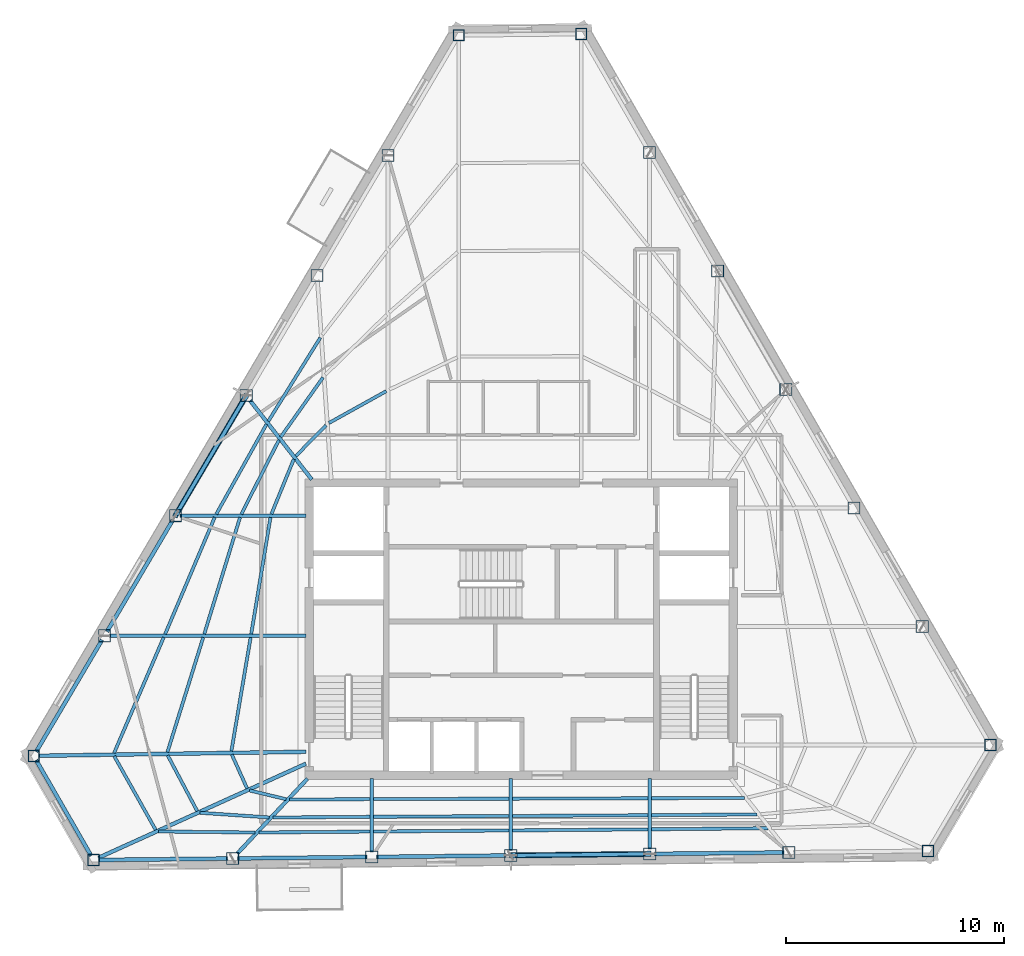
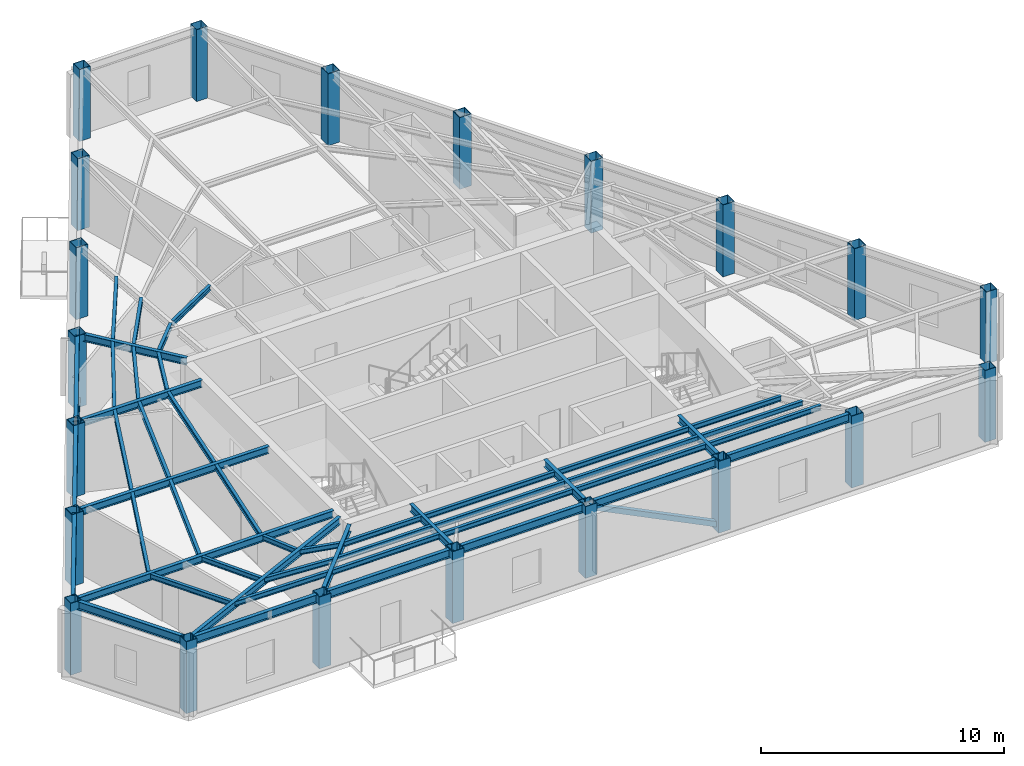
# One storey, part 1 of 11: 49 beams, 21 columns, 2 members.
"""IFC4 building model written with IfcOpenShell, lengths in metres."""

from ifc_helpers import new_model, si_unit, direction, frame, origin, origin_2d, place, context, subcontext, project, spatial, hollow_rectangle, i_section, extrude, material, material_profile, profile_set, type_object, element, save


model = new_model("IFC4")

# Units and contexts
model_context = context("Model", 3, precision=1e-05, world=origin(), true_north=direction((0.0, 1.0)))
body_context = subcontext(model_context, "Body", "Model", "MODEL_VIEW")
ifc_project = project(units=[si_unit("LENGTHUNIT", "METRE"), si_unit("AREAUNIT", "SQUARE_METRE"), si_unit("VOLUMEUNIT", "CUBIC_METRE"), si_unit("PLANEANGLEUNIT", "RADIAN"), si_unit("MASSUNIT", "GRAM", prefix="KILO")], contexts=[model_context])

# Site, building, storey
site_placement = place(None, origin())
site = spatial("IfcSite", under=ifc_project, at=site_placement, CompositionType="ELEMENT")
building_placement = place(site_placement, origin())
building = spatial("IfcBuilding", under=site, at=building_placement, Name="Kavelnor Concourse Tower", CompositionType="ELEMENT")
storey_placement = place(building_placement, frame((0.0, 0.0, 285.699951171875)))
storey = spatial("IfcBuildingStorey", under=building, at=storey_placement, Name="L72", CompositionType="ELEMENT", Elevation=285.699951171875)

# Columns
ifc_material = material(Name="Steel Grade 350", Category="steel")
ifc_material_profile_1 = material_profile(ifc_material, hollow_rectangle(XDim=0.52001953125, YDim=0.52001953125, WallThickness=0.02392578125, at=origin_2d()), Name="SHS 520x520x24")
ifc_profile_set_1 = profile_set([ifc_material_profile_1], Name="Steel Grade 350")
column_type_1 = type_object("IfcColumnType", Name="COL-FOLD-Z4", PredefinedType="COLUMN", material=ifc_profile_set_1)
for number, where, z_axis, x_axis, name in (
    (1, (35.1357421875, 43.29150390625, 0.0), (0.0, 0.0, 1.0), (1.0, 0.0, 0.0), "L72 Perimeter Corner-Fold Column F0-B0"),
    (2, (15.6708984375, 10.294921875, 0.0), (0.0, 0.0, 1.0), (1.0, 0.0, 0.0), "L72 Perimeter Corner-Fold Column F0-B6"),
    (3, (18.414794921875, 5.52490234375, 0.0), (0.0, 0.0, 1.0), (1.0, 0.0, 0.0), "L72 Perimeter Corner-Fold Column F1-B0"),
    (4, (56.617919921875, 5.942626953125, 0.0), (0.0, 0.0, 1.0), (1.0, 0.0, 0.0), "L72 Perimeter Corner-Fold Column F1-B6"),
    (5, (59.478515625, 10.7919921875, 0.0), (0.0, 0.0, 1.0), (1.0, 0.0, 0.0), "L72 Perimeter Corner-Fold Column F2-B0"),
    (6, (40.74755859375, 43.352783203125, 0.0), (0.0, 0.0, 1.0), (1.0, 0.0, 0.0), "L72 Perimeter Corner-Fold Column F2-B6"),
):
    element("IfcColumn", number, at=place(storey_placement, frame(where, z_axis=z_axis, x_axis=x_axis)), inside=storey, type_object=column_type_1, Name=name, PredefinedType="COLUMN", context=body_context, shape_type="SweptSolid", body=[
        extrude(hollow_rectangle(XDim=0.52001953125, YDim=0.52001953125, WallThickness=0.02392578125, at=origin_2d()), origin(), (0.0, 0.0, 1.0), 3.610107421875),
    ])
ifc_material_profile_2 = material_profile(ifc_material, hollow_rectangle(XDim=0.56005859375, YDim=0.56005859375, WallThickness=0.02490234375, at=origin_2d()), Name="SHS 560x560x25")
ifc_profile_set_2 = profile_set([ifc_material_profile_2], Name="Steel Grade 350")
column_type_2 = type_object("IfcColumnType", Name="COL-TUBE-Z4", PredefinedType="COLUMN", material=ifc_profile_set_2)
for number, where, z_axis, x_axis, name in (
    (7, (31.8916015625, 37.7919921875, 0.0), (0.0, 0.0, 1.0), (1.0, 0.0, 0.0), "L72 Perimeter Framed-Tube Column F0-B1"),
    (8, (28.6474609375, 32.29248046875, 0.0), (0.0, 0.0, 1.0), (1.0, 0.0, 0.0), "L72 Perimeter Framed-Tube Column F0-B2"),
    (9, (25.4033203125, 26.793212890625, 0.0), (0.0, 0.0, 1.0), (1.0, 0.0, 0.0), "L72 Perimeter Framed-Tube Column F0-B3"),
    (10, (22.1591796875, 21.293701171875, 0.0), (0.0, 0.0, 1.0), (1.0, 0.0, 0.0), "L72 Perimeter Framed-Tube Column F0-B4"),
    (11, (18.9150390625, 15.794189453125, 0.0), (0.0, 0.0, 1.0), (1.0, 0.0, 0.0), "L72 Perimeter Framed-Tube Column F0-B5"),
    (12, (24.781982421875, 5.594482421875, 0.0), (0.0, 0.0, 1.0), (1.0, 0.0, 0.0), "L72 Perimeter Framed-Tube Column F1-B1"),
    (13, (31.149169921875, 5.664306640625, 0.0), (0.0, 0.0, 1.0), (1.0, 0.0, 0.0), "L72 Perimeter Framed-Tube Column F1-B2"),
    (14, (37.516357421875, 5.73388671875, 0.0), (0.0, 0.0, 1.0), (1.0, 0.0, 0.0), "L72 Perimeter Framed-Tube Column F1-B3"),
    (15, (43.883544921875, 5.803466796875, 0.0), (0.0, 0.0, 1.0), (1.0, 0.0, 0.0), "L72 Perimeter Framed-Tube Column F1-B4"),
    (16, (50.250732421875, 5.873046875, 0.0), (0.0, 0.0, 1.0), (1.0, 0.0, 0.0), "L72 Perimeter Framed-Tube Column F1-B5"),
    (17, (56.356689453125, 16.21875, 0.0), (0.0, 0.0, 1.0), (1.0, 0.0, 0.0), "L72 Perimeter Framed-Tube Column F2-B1"),
    (18, (53.23486328125, 21.6455078125, 0.0), (0.0, 0.0, 1.0), (1.0, 0.0, 0.0), "L72 Perimeter Framed-Tube Column F2-B2"),
    (19, (50.113037109375, 27.072509765625, 0.0), (0.0, 0.0, 1.0), (1.0, 0.0, 0.0), "L72 Perimeter Framed-Tube Column F2-B3"),
    (20, (46.9912109375, 32.499267578125, 0.0), (0.0, 0.0, 1.0), (1.0, 0.0, 0.0), "L72 Perimeter Framed-Tube Column F2-B4"),
    (21, (43.869384765625, 37.926025390625, 0.0), (0.0, 0.0, 1.0), (1.0, 0.0, 0.0), "L72 Perimeter Framed-Tube Column F2-B5"),
):
    element("IfcColumn", number, at=place(storey_placement, frame(where, z_axis=z_axis, x_axis=x_axis)), inside=storey, type_object=column_type_2, Name=name, PredefinedType="COLUMN", context=body_context, shape_type="SweptSolid", body=[
        extrude(hollow_rectangle(XDim=0.56005859375, YDim=0.56005859375, WallThickness=0.02490234375, at=origin_2d()), origin(), (0.0, 0.0, 1.0), 3.610107421875),
    ])

# Beams
ifc_material_profile_3 = material_profile(ifc_material, i_section(OverallWidth=0.14599609375, OverallDepth=0.256103515625, WebThickness=0.00634765625, FlangeThickness=0.010986328125, at=origin_2d()), Name="250UB37")
ifc_profile_set_3 = profile_set([ifc_material_profile_3], Name="Steel Grade 350")
beam_type_1 = type_object("IfcBeamType", Name="BM-JOIST-250", PredefinedType="JOIST", material=ifc_profile_set_3)
beam_1_placement = place(storey_placement, frame((25.60498046875, 15.71337890625, 3.48193359375), z_axis=(-0.166987018233, -0.985959094355, 0.0), x_axis=(0.985959094355, -0.166987018233, 0.0)))
element("IfcBeam", 22, at=beam_1_placement, inside=storey, type_object=beam_type_1, Name="L72 Secondary Composite Joist 01-1", PredefinedType="JOIST", context=body_context, shape_type="SweptSolid", body=[
    extrude(i_section(OverallWidth=0.14599609375, OverallDepth=0.256103515625, WebThickness=0.00634765625, FlangeThickness=0.010986328125, at=origin_2d()), origin(), (0.0, 0.0, 1.0), 5.2763671875),
])
beam_2_placement = place(storey_placement, frame((23.43310546875, 15.716064453125, 3.48193359375), z_axis=(-0.297782205813, -0.954633834463, 0.0), x_axis=(0.954633834463, -0.297782205813, 0.0)))
element("IfcBeam", 23, at=beam_2_placement, inside=storey, type_object=beam_type_1, Name="L72 Secondary Composite Joist 01-2", PredefinedType="JOIST", context=body_context, shape_type="SweptSolid", body=[
    extrude(i_section(OverallWidth=0.14599609375, OverallDepth=0.256103515625, WebThickness=0.00634765625, FlangeThickness=0.010986328125, at=origin_2d()), origin(), (0.0, 0.0, 1.0), 5.501220703125),
])
beam_3_placement = place(storey_placement, frame((21.6240234375, 15.718994140625, 3.48193359375), z_axis=(-0.394221053931, -0.919015647656, 0.0), x_axis=(0.919015647656, -0.394221053931, 0.0)))
element("IfcBeam", 24, at=beam_3_placement, inside=storey, type_object=beam_type_1, Name="L72 Secondary Composite Joist 01-3", PredefinedType="JOIST", context=body_context, shape_type="SweptSolid", body=[
    extrude(i_section(OverallWidth=0.14599609375, OverallDepth=0.256103515625, WebThickness=0.00634765625, FlangeThickness=0.010986328125, at=origin_2d()), origin(), (0.0, 0.0, 1.0), 5.7607421875),
])
beam_4_placement = place(storey_placement, frame((24.743896484375, 10.355224609375, 3.48193359375), z_axis=(0.411044634015, -0.911615219732, 0.0), x_axis=(0.911615219732, 0.411044634015, 0.0)))
element("IfcBeam", 25, at=beam_4_placement, inside=storey, type_object=beam_type_1, Name="L72 Secondary Composite Joist 02-1", PredefinedType="JOIST", context=body_context, shape_type="SweptSolid", body=[
    extrude(i_section(OverallWidth=0.14599609375, OverallDepth=0.256103515625, WebThickness=0.00634765625, FlangeThickness=0.010986328125, at=origin_2d()), origin(), (0.0, 0.0, 1.0), 1.70166015625),
])
beam_5_placement = place(storey_placement, frame((21.808837890625, 10.313720703125, 3.48193359375), z_axis=(0.468432506804, -0.883499284985, 0.0), x_axis=(0.883499284985, 0.468432506804, 0.0)))
element("IfcBeam", 26, at=beam_5_placement, inside=storey, type_object=beam_type_1, Name="L72 Secondary Composite Joist 02-2", PredefinedType="JOIST", context=body_context, shape_type="SweptSolid", body=[
    extrude(i_section(OverallWidth=0.14599609375, OverallDepth=0.256103515625, WebThickness=0.00634765625, FlangeThickness=0.010986328125, at=origin_2d()), origin(), (0.0, 0.0, 1.0), 2.882080078125),
])
beam_6_placement = place(storey_placement, frame((19.36083984375, 10.278076171875, 3.48193359375), z_axis=(0.490135447901, -0.871646283025, 0.0), x_axis=(0.871646283025, 0.490135447901, 0.0)))
element("IfcBeam", 27, at=beam_6_placement, inside=storey, type_object=beam_type_1, Name="L72 Secondary Composite Joist 02-3", PredefinedType="JOIST", context=body_context, shape_type="SweptSolid", body=[
    extrude(i_section(OverallWidth=0.14599609375, OverallDepth=0.256103515625, WebThickness=0.00634765625, FlangeThickness=0.010986328125, at=origin_2d()), origin(), (0.0, 0.0, 1.0), 3.870361328125),
])
beam_7_placement = place(storey_placement, frame((25.556640625, 8.710205078125, 3.48193359375), z_axis=(0.97249157258, -0.232938063145, 0.0), x_axis=(0.232938063145, 0.97249157258, 0.0)))
element("IfcBeam", 28, at=beam_7_placement, inside=storey, type_object=beam_type_1, Name="L72 Secondary Composite Joist 03-1", PredefinedType="JOIST", context=body_context, shape_type="SweptSolid", body=[
    extrude(i_section(OverallWidth=0.14599609375, OverallDepth=0.256103515625, WebThickness=0.00634765625, FlangeThickness=0.010986328125, at=origin_2d()), origin(), (0.0, 0.0, 1.0), 1.719970703125),
])
beam_8_placement = place(storey_placement, frame((23.279296875, 7.689453125, 3.48193359375), z_axis=(0.997717148754, -0.067531408117, 0.0), x_axis=(0.067531408117, 0.997717148754, 0.0)))
element("IfcBeam", 29, at=beam_8_placement, inside=storey, type_object=beam_type_1, Name="L72 Secondary Composite Joist 03-2", PredefinedType="JOIST", context=body_context, shape_type="SweptSolid", body=[
    extrude(i_section(OverallWidth=0.14599609375, OverallDepth=0.256103515625, WebThickness=0.00634765625, FlangeThickness=0.010986328125, at=origin_2d()), origin(), (0.0, 0.0, 1.0), 3.18505859375),
])
beam_9_placement = place(storey_placement, frame((21.3798828125, 6.832275390625, 3.48193359375), z_axis=(0.999942981249, -0.010678682063, 0.0), x_axis=(0.010678682063, 0.999942981249, 0.0)))
element("IfcBeam", 30, at=beam_9_placement, inside=storey, type_object=beam_type_1, Name="L72 Secondary Composite Joist 03-3", PredefinedType="JOIST", context=body_context, shape_type="SweptSolid", body=[
    extrude(i_section(OverallWidth=0.14599609375, OverallDepth=0.256103515625, WebThickness=0.00634765625, FlangeThickness=0.010986328125, at=origin_2d()), origin(), (0.0, 0.0, 1.0), 4.435302734375),
])
beam_10_placement = place(storey_placement, frame((27.39111328125, 8.291015625, 3.48193359375), z_axis=(0.999980096596, 0.006309232196, 0.0), x_axis=(-0.006309232196, 0.999980096596, 0.0)))
element("IfcBeam", 31, at=beam_10_placement, inside=storey, type_object=beam_type_1, Name="L72 Secondary Composite Joist 04-1", PredefinedType="JOIST", context=body_context, shape_type="SweptSolid", body=[
    extrude(i_section(OverallWidth=0.14599609375, OverallDepth=0.256103515625, WebThickness=0.00634765625, FlangeThickness=0.010986328125, at=origin_2d()), origin(), (0.0, 0.0, 1.0), 3.676025390625),
])
beam_11_placement = place(storey_placement, frame((26.620849609375, 7.469482421875, 3.48193359375), z_axis=(0.999970030919, 0.007741916009, 0.0), x_axis=(-0.007741916009, 0.999970030919, 0.0)))
element("IfcBeam", 32, at=beam_11_placement, inside=storey, type_object=beam_type_1, Name="L72 Secondary Composite Joist 04-2", PredefinedType="JOIST", context=body_context, shape_type="SweptSolid", body=[
    extrude(i_section(OverallWidth=0.14599609375, OverallDepth=0.256103515625, WebThickness=0.00634765625, FlangeThickness=0.010986328125, at=origin_2d()), origin(), (0.0, 0.0, 1.0), 4.446533203125),
])
beam_12_placement = place(storey_placement, frame((25.97900390625, 6.784912109375, 3.48193359375), z_axis=(0.99996311796, 0.008588522533, 0.0), x_axis=(-0.008588522533, 0.99996311796, 0.0)))
element("IfcBeam", 33, at=beam_12_placement, inside=storey, type_object=beam_type_1, Name="L72 Secondary Composite Joist 04-3", PredefinedType="JOIST", context=body_context, shape_type="SweptSolid", body=[
    extrude(i_section(OverallWidth=0.14599609375, OverallDepth=0.256103515625, WebThickness=0.00634765625, FlangeThickness=0.010986328125, at=origin_2d()), origin(), (0.0, 0.0, 1.0), 5.08837890625),
])
for number, where, z_axis, x_axis, name in (
    (34, (31.231201171875, 8.31494140625, 3.48193359375), (0.999995287893, 0.003069884779, 0.0), (-0.003069884779, 0.999995287893, 0.0), "L72 Secondary Composite Joist 05-1"),
    (35, (31.231201171875, 7.505126953125, 3.48193359375), (0.999983940073, 0.005667415277, 0.0), (-0.005667415277, 0.999983940073, 0.0), "L72 Secondary Composite Joist 05-2"),
):
    element("IfcBeam", number, at=place(storey_placement, frame(where, z_axis=z_axis, x_axis=x_axis)), inside=storey, type_object=beam_type_1, Name=name, PredefinedType="JOIST", context=body_context, shape_type="SweptSolid", body=[
        extrude(i_section(OverallWidth=0.14599609375, OverallDepth=0.256103515625, WebThickness=0.00634765625, FlangeThickness=0.010986328125, at=origin_2d()), origin(), (0.0, 0.0, 1.0), 6.203125),
    ])
beam_13_placement = place(storey_placement, frame((31.231201171875, 6.830078125, 3.48193359375), z_axis=(0.999969020896, 0.007871292671, 0.0), x_axis=(-0.007871292671, 0.999969020896, 0.0)))
element("IfcBeam", 36, at=beam_13_placement, inside=storey, type_object=beam_type_1, Name="L72 Secondary Composite Joist 05-3", PredefinedType="JOIST", context=body_context, shape_type="SweptSolid", body=[
    extrude(i_section(OverallWidth=0.14599609375, OverallDepth=0.256103515625, WebThickness=0.00634765625, FlangeThickness=0.010986328125, at=origin_2d()), origin(), (0.0, 0.0, 1.0), 6.203369140625),
])
for number, where, z_axis, x_axis, name in (
    (37, (37.598388671875, 8.33447265625, 3.48193359375), (0.999995287893, 0.003069884779, 0.0), (-0.003069884779, 0.999995287893, 0.0), "L72 Secondary Composite Joist 06-1"),
    (38, (37.598388671875, 7.541259765625, 3.48193359375), (0.999983940073, 0.005667415277, 0.0), (-0.005667415277, 0.999983940073, 0.0), "L72 Secondary Composite Joist 06-2"),
):
    element("IfcBeam", number, at=place(storey_placement, frame(where, z_axis=z_axis, x_axis=x_axis)), inside=storey, type_object=beam_type_1, Name=name, PredefinedType="JOIST", context=body_context, shape_type="SweptSolid", body=[
        extrude(i_section(OverallWidth=0.14599609375, OverallDepth=0.256103515625, WebThickness=0.00634765625, FlangeThickness=0.010986328125, at=origin_2d()), origin(), (0.0, 0.0, 1.0), 6.203125),
    ])
beam_14_placement = place(storey_placement, frame((37.598388671875, 6.880126953125, 3.48193359375), z_axis=(0.999969020896, 0.007871292671, 0.0), x_axis=(-0.007871292671, 0.999969020896, 0.0)))
element("IfcBeam", 39, at=beam_14_placement, inside=storey, type_object=beam_type_1, Name="L72 Secondary Composite Joist 06-3", PredefinedType="JOIST", context=body_context, shape_type="SweptSolid", body=[
    extrude(i_section(OverallWidth=0.14599609375, OverallDepth=0.256103515625, WebThickness=0.00634765625, FlangeThickness=0.010986328125, at=origin_2d()), origin(), (0.0, 0.0, 1.0), 6.203369140625),
])
beam_15_placement = place(storey_placement, frame((43.965576171875, 8.35400390625, 3.48193359375), z_axis=(0.999993640107, 0.003566475247, 0.0), x_axis=(-0.003566475247, 0.999993640107, 0.0)))
element("IfcBeam", 40, at=beam_15_placement, inside=storey, type_object=beam_type_1, Name="L72 Secondary Composite Joist 07-1", PredefinedType="JOIST", context=body_context, shape_type="SweptSolid", body=[
    extrude(i_section(OverallWidth=0.14599609375, OverallDepth=0.256103515625, WebThickness=0.00634765625, FlangeThickness=0.010986328125, at=origin_2d()), origin(), (0.0, 0.0, 1.0), 4.244140625),
])
beam_16_placement = place(storey_placement, frame((43.965576171875, 7.57763671875, 3.48193359375), z_axis=(0.999973592124, 0.007267396652, 0.0), x_axis=(-0.007267396652, 0.999973592124, 0.0)))
element("IfcBeam", 41, at=beam_16_placement, inside=storey, type_object=beam_type_1, Name="L72 Secondary Composite Joist 07-2", PredefinedType="JOIST", context=body_context, shape_type="SweptSolid", body=[
    extrude(i_section(OverallWidth=0.14599609375, OverallDepth=0.256103515625, WebThickness=0.00634765625, FlangeThickness=0.010986328125, at=origin_2d()), origin(), (0.0, 0.0, 1.0), 4.837646484375),
])
beam_17_placement = place(storey_placement, frame((43.965576171875, 6.930419921875, 3.48193359375), z_axis=(0.999951993419, 0.009798513054, 0.0), x_axis=(-0.009798513054, 0.999951993419, 0.0)))
element("IfcBeam", 42, at=beam_17_placement, inside=storey, type_object=beam_type_1, Name="L72 Secondary Composite Joist 07-3", PredefinedType="JOIST", context=body_context, shape_type="SweptSolid", body=[
    extrude(i_section(OverallWidth=0.14599609375, OverallDepth=0.256103515625, WebThickness=0.00634765625, FlangeThickness=0.010986328125, at=origin_2d()), origin(), (0.0, 0.0, 1.0), 5.33203125),
])
beam_18_placement = place(storey_placement, frame((31.81982421875, 26.997314453125, 3.48193359375), z_axis=(-0.874352398064, -0.485291545362, 0.0), x_axis=(0.485291545362, -0.874352398064, 0.0)))
element("IfcBeam", 43, at=beam_18_placement, inside=storey, type_object=beam_type_1, Name="L72 Secondary Composite Joist 18-1", PredefinedType="JOIST", context=body_context, shape_type="SweptSolid", body=[
    extrude(i_section(OverallWidth=0.14599609375, OverallDepth=0.256103515625, WebThickness=0.00634765625, FlangeThickness=0.010986328125, at=origin_2d()), origin(), (0.0, 0.0, 1.0), 3.009033203125),
])
beam_19_placement = place(storey_placement, frame((29.06005859375, 25.438720703125, 3.48193359375), z_axis=(-0.699253164323, -0.714874123315, 0.0), x_axis=(0.714874123315, -0.699253164323, 0.0)))
element("IfcBeam", 44, at=beam_19_placement, inside=storey, type_object=beam_type_1, Name="L72 Secondary Composite Joist 19-1", PredefinedType="JOIST", context=body_context, shape_type="SweptSolid", body=[
    extrude(i_section(OverallWidth=0.14599609375, OverallDepth=0.256103515625, WebThickness=0.00634765625, FlangeThickness=0.010986328125, at=origin_2d()), origin(), (0.0, 0.0, 1.0), 1.98486328125),
])
beam_20_placement = place(storey_placement, frame((28.918212890625, 27.6220703125, 3.48193359375), z_axis=(-0.578554253692, -0.815643902408, 0.0), x_axis=(0.815643902408, -0.578554253692, 0.0)))
element("IfcBeam", 45, at=beam_20_placement, inside=storey, type_object=beam_type_1, Name="L72 Secondary Composite Joist 19-2", PredefinedType="JOIST", context=body_context, shape_type="SweptSolid", body=[
    extrude(i_section(OverallWidth=0.14599609375, OverallDepth=0.256103515625, WebThickness=0.00634765625, FlangeThickness=0.010986328125, at=origin_2d()), origin(), (0.0, 0.0, 1.0), 3.342529296875),
])
beam_21_placement = place(storey_placement, frame((28.796142578125, 29.44580078125, 3.48193359375), z_axis=(-0.528502444187, -0.848931779643, 0.0), x_axis=(0.848931779643, -0.528502444187, 0.0)))
element("IfcBeam", 46, at=beam_21_placement, inside=storey, type_object=beam_type_1, Name="L72 Secondary Composite Joist 19-3", PredefinedType="JOIST", context=body_context, shape_type="SweptSolid", body=[
    extrude(i_section(OverallWidth=0.14599609375, OverallDepth=0.256103515625, WebThickness=0.00634765625, FlangeThickness=0.010986328125, at=origin_2d()), origin(), (0.0, 0.0, 1.0), 4.50439453125),
])
beam_22_placement = place(storey_placement, frame((27.583740234375, 23.885009765625, 3.48193359375), z_axis=(-0.377642286874, -0.925951566317, 0.0), x_axis=(0.925951566317, -0.377642286874, 0.0)))
element("IfcBeam", 47, at=beam_22_placement, inside=storey, type_object=beam_type_1, Name="L72 Secondary Composite Joist 20-1", PredefinedType="JOIST", context=body_context, shape_type="SweptSolid", body=[
    extrude(i_section(OverallWidth=0.14599609375, OverallDepth=0.256103515625, WebThickness=0.00634765625, FlangeThickness=0.010986328125, at=origin_2d()), origin(), (0.0, 0.0, 1.0), 2.716552734375),
])
beam_23_placement = place(storey_placement, frame((26.89990234375, 24.755859375, 3.48193359375), z_axis=(-0.452269484129, -0.891881333881, 0.0), x_axis=(0.891881333881, -0.452269484129, 0.0)))
element("IfcBeam", 48, at=beam_23_placement, inside=storey, type_object=beam_type_1, Name="L72 Secondary Composite Joist 20-2", PredefinedType="JOIST", context=body_context, shape_type="SweptSolid", body=[
    extrude(i_section(OverallWidth=0.14599609375, OverallDepth=0.256103515625, WebThickness=0.00634765625, FlangeThickness=0.010986328125, at=origin_2d()), origin(), (0.0, 0.0, 1.0), 3.7998046875),
])
beam_24_placement = place(storey_placement, frame((26.332275390625, 25.480712890625, 3.48193359375), z_axis=(-0.487879390093, -0.87291104972, 0.0), x_axis=(0.87291104972, -0.487879390093, 0.0)))
element("IfcBeam", 49, at=beam_24_placement, inside=storey, type_object=beam_type_1, Name="L72 Secondary Composite Joist 20-3", PredefinedType="JOIST", context=body_context, shape_type="SweptSolid", body=[
    extrude(i_section(OverallWidth=0.14599609375, OverallDepth=0.256103515625, WebThickness=0.00634765625, FlangeThickness=0.010986328125, at=origin_2d()), origin(), (0.0, 0.0, 1.0), 4.71435546875),
])
beam_25_placement = place(storey_placement, frame((26.513671875, 21.212890625, 3.48193359375), z_axis=(-0.162957155534, -0.986633146342, 0.0), x_axis=(0.986633146342, -0.162957155534, 0.0)))
element("IfcBeam", 50, at=beam_25_placement, inside=storey, type_object=beam_type_1, Name="L72 Secondary Composite Joist 21-1", PredefinedType="JOIST", context=body_context, shape_type="SweptSolid", body=[
    extrude(i_section(OverallWidth=0.14599609375, OverallDepth=0.256103515625, WebThickness=0.00634765625, FlangeThickness=0.010986328125, at=origin_2d()), origin(), (0.0, 0.0, 1.0), 5.409912109375),
])
beam_26_placement = place(storey_placement, frame((25.120361328125, 21.21533203125, 3.48193359375), z_axis=(-0.293278340243, -0.956027099587, 0.0), x_axis=(0.956027099587, -0.293278340243, 0.0)))
element("IfcBeam", 51, at=beam_26_placement, inside=storey, type_object=beam_type_1, Name="L72 Secondary Composite Joist 21-2", PredefinedType="JOIST", context=body_context, shape_type="SweptSolid", body=[
    extrude(i_section(OverallWidth=0.14599609375, OverallDepth=0.256103515625, WebThickness=0.00634765625, FlangeThickness=0.010986328125, at=origin_2d()), origin(), (0.0, 0.0, 1.0), 5.58837890625),
])
beam_27_placement = place(storey_placement, frame((23.960205078125, 21.21826171875, 3.48193359375), z_axis=(-0.390945794184, -0.920413703728, 0.0), x_axis=(0.920413703728, -0.390945794184, 0.0)))
element("IfcBeam", 52, at=beam_27_placement, inside=storey, type_object=beam_type_1, Name="L72 Secondary Composite Joist 21-3", PredefinedType="JOIST", context=body_context, shape_type="SweptSolid", body=[
    extrude(i_section(OverallWidth=0.14599609375, OverallDepth=0.256103515625, WebThickness=0.00634765625, FlangeThickness=0.010986328125, at=origin_2d()), origin(), (0.0, 0.0, 1.0), 5.810791015625),
])
ifc_material_profile_4 = material_profile(ifc_material, i_section(OverallWidth=0.172119140625, OverallDepth=0.35888671875, WebThickness=0.008056640625, FlangeThickness=0.012939453125, at=origin_2d()), Name="360UB56")
ifc_profile_set_4 = profile_set([ifc_material_profile_4], Name="Steel Grade 350")
beam_type_2 = type_object("IfcBeamType", Name="BM-PRIMARY-360", PredefinedType="BEAM", material=ifc_profile_set_4)
beam_28_placement = place(storey_placement, frame((28.4052734375, 22.948486328125, 3.4306640625), z_axis=(-0.615416833437, 0.788201827658, 0.0), x_axis=(-0.788201827658, -0.615416833437, 0.0)))
element("IfcBeam", 53, at=beam_28_placement, inside=storey, type_object=beam_type_2, Name="L72 Primary Floor Girder F0-B3", PredefinedType="BEAM", context=body_context, shape_type="SweptSolid", body=[
    extrude(i_section(OverallWidth=0.172119140625, OverallDepth=0.35888671875, WebThickness=0.008056640625, FlangeThickness=0.012939453125, at=origin_2d()), origin(), (0.0, 0.0, 1.0), 4.587890625),
])
beam_29_placement = place(storey_placement, frame((28.139892578125, 21.293701171875, 3.4306640625), z_axis=(-1.0, 0.0, 0.0), x_axis=(0.0, -1.0, 0.0)))
element("IfcBeam", 54, at=beam_29_placement, inside=storey, type_object=beam_type_2, Name="L72 Primary Floor Girder F0-B4", PredefinedType="BEAM", context=body_context, shape_type="SweptSolid", body=[
    extrude(i_section(OverallWidth=0.172119140625, OverallDepth=0.35888671875, WebThickness=0.008056640625, FlangeThickness=0.012939453125, at=origin_2d()), origin(), (0.0, 0.0, 1.0), 5.7607421875),
])
beam_30_placement = place(storey_placement, frame((28.139892578125, 15.794189453125, 3.4306640625), z_axis=(-1.0, 0.0, 0.0), x_axis=(0.0, -1.0, 0.0)))
element("IfcBeam", 55, at=beam_30_placement, inside=storey, type_object=beam_type_2, Name="L72 Primary Floor Girder F0-B5", PredefinedType="BEAM", context=body_context, shape_type="SweptSolid", body=[
    extrude(i_section(OverallWidth=0.172119140625, OverallDepth=0.35888671875, WebThickness=0.008056640625, FlangeThickness=0.012939453125, at=origin_2d()), origin(), (0.0, 0.0, 1.0), 9.0048828125),
])
beam_31_placement = place(storey_placement, frame((28.139892578125, 10.4814453125, 3.4306640625), z_axis=(-0.999887990701, -0.014966831719, 0.0), x_axis=(0.014966831719, -0.999887990701, 0.0)))
element("IfcBeam", 56, at=beam_31_placement, inside=storey, type_object=beam_type_2, Name="L72 Primary Floor Girder F0-B6", PredefinedType="BEAM", context=body_context, shape_type="SweptSolid", body=[
    extrude(i_section(OverallWidth=0.172119140625, OverallDepth=0.35888671875, WebThickness=0.008056640625, FlangeThickness=0.012939453125, at=origin_2d()), origin(), (0.0, 0.0, 1.0), 12.25048828125),
])
beam_32_placement = place(storey_placement, frame((28.136474609375, 9.935791015625, 3.4306640625), z_axis=(-0.910654044029, -0.413169713427, 0.0), x_axis=(0.413169713427, -0.910654044029, 0.0)))
element("IfcBeam", 57, at=beam_32_placement, inside=storey, type_object=beam_type_2, Name="L72 Primary Floor Girder F1-B0", PredefinedType="BEAM", context=body_context, shape_type="SweptSolid", body=[
    extrude(i_section(OverallWidth=0.172119140625, OverallDepth=0.35888671875, WebThickness=0.008056640625, FlangeThickness=0.012939453125, at=origin_2d()), origin(), (0.0, 0.0, 1.0), 10.429931640625),
])
beam_33_placement = place(storey_placement, frame((28.20751953125, 9.249267578125, 3.4306640625), z_axis=(-0.683871903017, -0.729602097217, 0.0), x_axis=(0.729602097217, -0.683871903017, 0.0)))
element("IfcBeam", 58, at=beam_33_placement, inside=storey, type_object=beam_type_2, Name="L72 Primary Floor Girder F1-B1", PredefinedType="BEAM", context=body_context, shape_type="SweptSolid", body=[
    extrude(i_section(OverallWidth=0.172119140625, OverallDepth=0.35888671875, WebThickness=0.008056640625, FlangeThickness=0.012939453125, at=origin_2d()), origin(), (0.0, 0.0, 1.0), 4.692626953125),
])
beam_34_placement = place(storey_placement, frame((31.149169921875, 9.260009765625, 3.4306640625), z_axis=(0.0, -1.0, 0.0), x_axis=(1.0, 0.0, 0.0)))
element("IfcBeam", 59, at=beam_34_placement, inside=storey, type_object=beam_type_2, Name="L72 Primary Floor Girder F1-B2", PredefinedType="BEAM", context=body_context, shape_type="SweptSolid", body=[
    extrude(i_section(OverallWidth=0.172119140625, OverallDepth=0.35888671875, WebThickness=0.008056640625, FlangeThickness=0.012939453125, at=origin_2d()), origin(), (0.0, 0.0, 1.0), 3.375732421875),
])
beam_35_placement = place(storey_placement, frame((37.516357421875, 9.260009765625, 3.4306640625), z_axis=(0.0, -1.0, 0.0), x_axis=(1.0, 0.0, 0.0)))
element("IfcBeam", 60, at=beam_35_placement, inside=storey, type_object=beam_type_2, Name="L72 Primary Floor Girder F1-B3", PredefinedType="BEAM", context=body_context, shape_type="SweptSolid", body=[
    extrude(i_section(OverallWidth=0.172119140625, OverallDepth=0.35888671875, WebThickness=0.008056640625, FlangeThickness=0.012939453125, at=origin_2d()), origin(), (0.0, 0.0, 1.0), 3.30615234375),
])
beam_36_placement = place(storey_placement, frame((43.883544921875, 9.260009765625, 3.4306640625), z_axis=(0.0, -1.0, 0.0), x_axis=(1.0, 0.0, 0.0)))
element("IfcBeam", 61, at=beam_36_placement, inside=storey, type_object=beam_type_2, Name="L72 Primary Floor Girder F1-B4", PredefinedType="BEAM", context=body_context, shape_type="SweptSolid", body=[
    extrude(i_section(OverallWidth=0.172119140625, OverallDepth=0.35888671875, WebThickness=0.008056640625, FlangeThickness=0.012939453125, at=origin_2d()), origin(), (0.0, 0.0, 1.0), 3.236572265625),
])
ifc_material_profile_5 = material_profile(ifc_material, i_section(OverallWidth=0.177978515625, OverallDepth=0.406005859375, WebThickness=0.0078125, FlangeThickness=0.0126953125, at=origin_2d()), Name="410UB59")
ifc_profile_set_5 = profile_set([ifc_material_profile_5], Name="Steel Grade 350")
beam_type_3 = type_object("IfcBeamType", Name="BM-SPANDREL-Z4", PredefinedType="SPANDREL", material=ifc_profile_set_5)
beam_37_placement = place(storey_placement, frame((25.2890625, 26.599365234375, 3.406982421875), z_axis=(-0.508105531915, -0.861294820858, 0.0), x_axis=(0.861294820858, -0.508105531915, 0.0)))
element("IfcBeam", 62, at=beam_37_placement, inside=storey, type_object=beam_type_3, Name="L72 Perimeter Tube Spandrel Beam F0-B3", PredefinedType="SPANDREL", context=body_context, shape_type="SweptSolid", body=[
    extrude(i_section(OverallWidth=0.177978515625, OverallDepth=0.406005859375, WebThickness=0.0078125, FlangeThickness=0.0126953125, at=origin_2d()), origin(), (0.0, 0.0, 1.0), 5.93505859375),
])
beam_38_placement = place(storey_placement, frame((22.044921875, 21.10009765625, 3.406982421875), z_axis=(-0.508087530374, -0.861305440293, 0.0), x_axis=(0.861305440293, -0.508087530374, 0.0)))
element("IfcBeam", 63, at=beam_38_placement, inside=storey, type_object=beam_type_3, Name="L72 Perimeter Tube Spandrel Beam F0-B4", PredefinedType="SPANDREL", context=body_context, shape_type="SweptSolid", body=[
    extrude(i_section(OverallWidth=0.177978515625, OverallDepth=0.406005859375, WebThickness=0.0078125, FlangeThickness=0.0126953125, at=origin_2d()), origin(), (0.0, 0.0, 1.0), 5.935302734375),
])
beam_39_placement = place(storey_placement, frame((18.80078125, 15.6005859375, 3.406982421875), z_axis=(-0.508105531915, -0.861294820858, 0.0), x_axis=(0.861294820858, -0.508105531915, 0.0)))
element("IfcBeam", 64, at=beam_39_placement, inside=storey, type_object=beam_type_3, Name="L72 Perimeter Tube Spandrel Beam F0-B5", PredefinedType="SPANDREL", context=body_context, shape_type="SweptSolid", body=[
    extrude(i_section(OverallWidth=0.177978515625, OverallDepth=0.406005859375, WebThickness=0.0078125, FlangeThickness=0.0126953125, at=origin_2d()), origin(), (0.0, 0.0, 1.0), 5.93505859375),
])
beam_40_placement = place(storey_placement, frame((18.639892578125, 5.527587890625, 3.406982421875), z_axis=(0.99994067779, 0.010892240425, 0.0), x_axis=(-0.010892240425, 0.99994067779, 0.0)))
element("IfcBeam", 65, at=beam_40_placement, inside=storey, type_object=beam_type_3, Name="L72 Perimeter Tube Spandrel Beam F1-B0", PredefinedType="SPANDREL", context=body_context, shape_type="SweptSolid", body=[
    extrude(i_section(OverallWidth=0.177978515625, OverallDepth=0.406005859375, WebThickness=0.0078125, FlangeThickness=0.0126953125, at=origin_2d()), origin(), (0.0, 0.0, 1.0), 5.917236328125),
])
for number, where, z_axis, x_axis, name in (
    (66, (25.007080078125, 5.59716796875, 3.406982421875), (0.999940682684, 0.010891791073, 0.0), (-0.010891791073, 0.999940682684, 0.0), "L72 Perimeter Tube Spandrel Beam F1-B1"),
    (67, (31.374267578125, 5.666748046875, 3.406982421875), (0.999940682684, 0.010891791073, 0.0), (-0.010891791073, 0.999940682684, 0.0), "L72 Perimeter Tube Spandrel Beam F1-B2"),
    (68, (37.741455078125, 5.736328125, 3.406982421875), (0.999940682684, 0.010891791073, 0.0), (-0.010891791073, 0.999940682684, 0.0), "L72 Perimeter Tube Spandrel Beam F1-B3"),
    (69, (44.108642578125, 5.805908203125, 3.406982421875), (0.9999402325, 0.010933042935, 0.0), (-0.010933042935, 0.9999402325, 0.0), "L72 Perimeter Tube Spandrel Beam F1-B4"),
):
    element("IfcBeam", number, at=place(storey_placement, frame(where, z_axis=z_axis, x_axis=x_axis)), inside=storey, type_object=beam_type_3, Name=name, PredefinedType="SPANDREL", context=body_context, shape_type="SweptSolid", body=[
        extrude(i_section(OverallWidth=0.177978515625, OverallDepth=0.406005859375, WebThickness=0.0078125, FlangeThickness=0.0126953125, at=origin_2d()), origin(), (0.0, 0.0, 1.0), 5.91748046875),
    ])
beam_41_placement = place(storey_placement, frame((15.783203125, 10.099853515625, 3.406982421875), z_axis=(0.498598213025, -0.86683321462, 0.0), x_axis=(0.86683321462, 0.498598213025, 0.0)))
element("IfcBeam", 70, at=beam_41_placement, inside=storey, type_object=beam_type_3, Name="L72 Chamfer Facet Spandrel Beam C1", PredefinedType="SPANDREL", context=body_context, shape_type="SweptSolid", body=[
    extrude(i_section(OverallWidth=0.177978515625, OverallDepth=0.406005859375, WebThickness=0.0078125, FlangeThickness=0.0126953125, at=origin_2d()), origin(), (0.0, 0.0, 1.0), 5.052734375),
])

# Members
ifc_material_profile_6 = material_profile(ifc_material, hollow_rectangle(XDim=0.25, YDim=0.25, WallThickness=0.01611328125, at=origin_2d()), Name="SHS 250x250x16")
ifc_profile_set_6 = profile_set([ifc_material_profile_6], Name="Steel Grade 350")
member_type = type_object("IfcMemberType", Name="MBR-TUBE-DIAG-Z4", PredefinedType="BRACE", material=ifc_profile_set_6)
member_1_placement = place(storey_placement, frame((25.4033203125, 26.793212890625, 0.219970703125), z_axis=(-0.454599937499, -0.770644054192, 0.446594490075), x_axis=(0.861308413021, -0.508082490998, 0.0)))
element("IfcMember", 71, at=member_1_placement, inside=storey, type_object=member_type, Name="L72 Framed-Tube Bracing Diagonal F0-B3", PredefinedType="BRACE", context=body_context, shape_type="SweptSolid", body=[
    extrude(hollow_rectangle(XDim=0.25, YDim=0.25, WallThickness=0.01611328125, at=origin_2d()), origin(), (0.0, 0.0, 1.0), 7.13623046875),
])
member_2_placement = place(storey_placement, frame((43.883544921875, 5.803466796875, 0.219970703125), z_axis=(-0.894192400717, -0.009771657753, 0.447576211616), x_axis=(0.010927261667, -0.999940295694, 0.0)))
element("IfcMember", 72, at=member_2_placement, inside=storey, type_object=member_type, Name="L72 Framed-Tube Bracing Diagonal F1-B3", PredefinedType="BRACE", context=body_context, shape_type="SweptSolid", body=[
    extrude(hollow_rectangle(XDim=0.25, YDim=0.25, WallThickness=0.01611328125, at=origin_2d()), origin(), (0.0, 0.0, 1.0), 7.12060546875),
])

save(model, "model.ifc")
